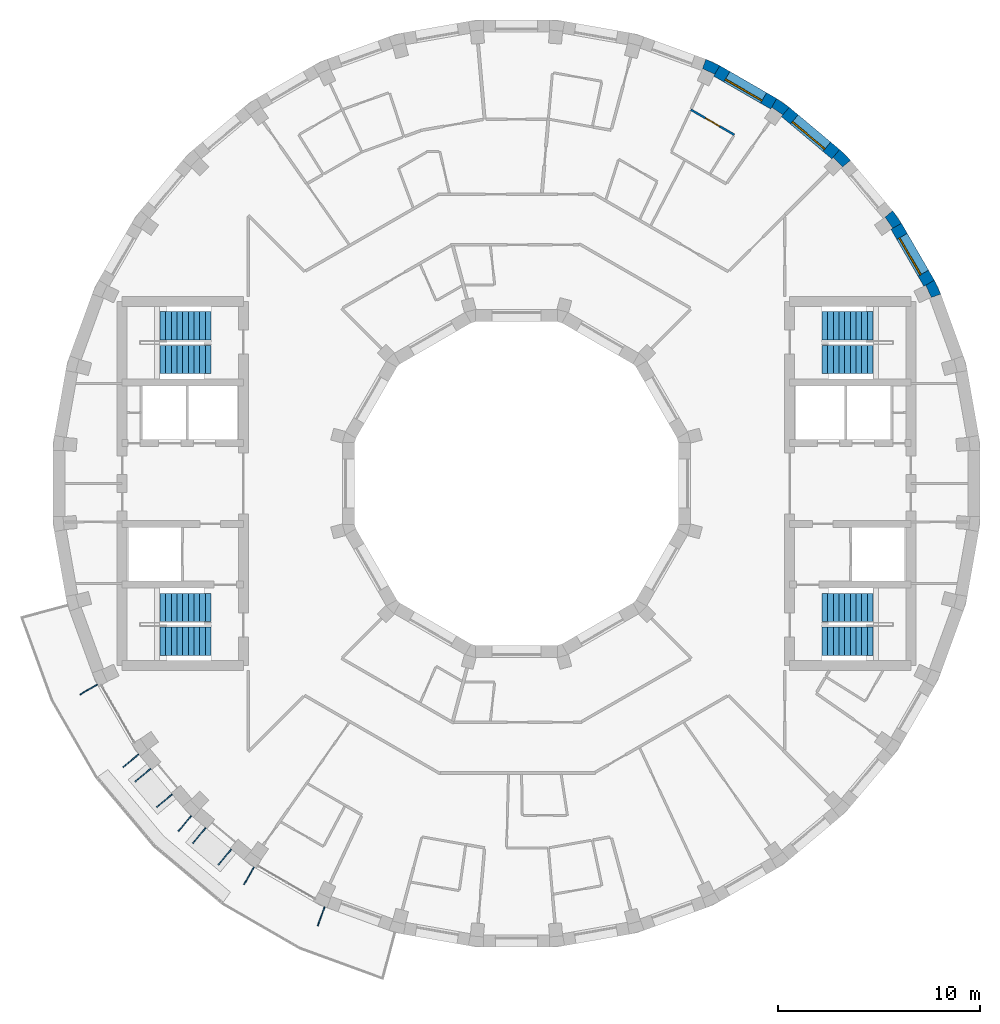
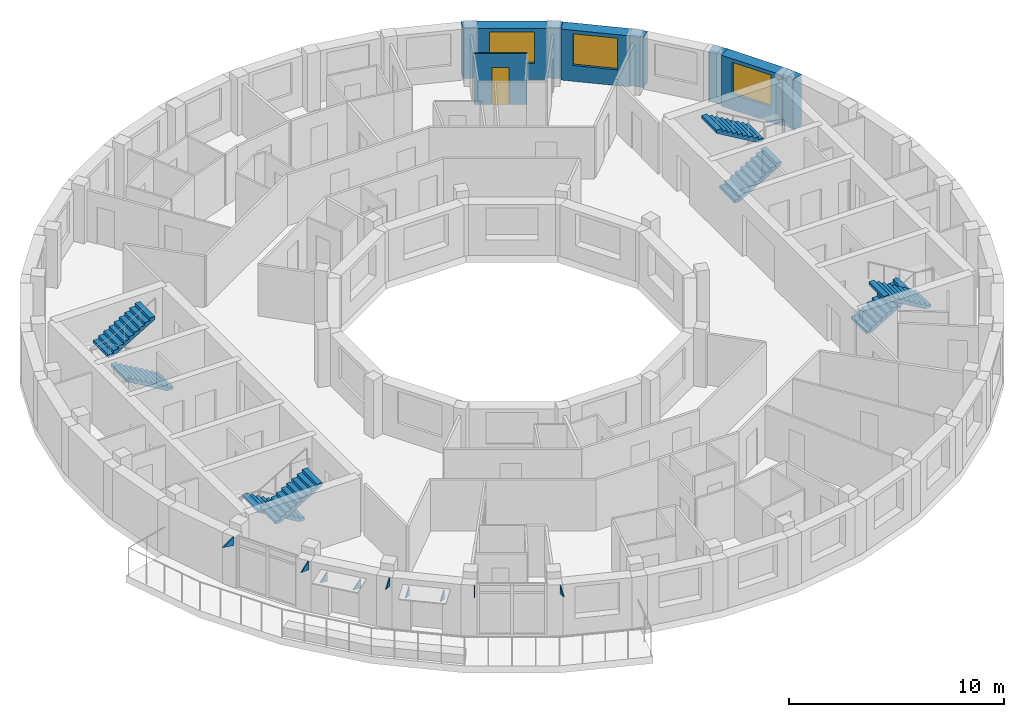
# One storey, part 11 of 12: 9 discrete accessories, 9 walls, 8 stair flights, 3 windows, 1 door, 4 openings, 4 elements without a shape of their own.
"""IFC4 building model written with IfcOpenShell, lengths in metres."""

from ifc_helpers import new_model, si_unit, direction, frame, frame_2d, origin, place, context, subcontext, project, spatial, polyline, rectangle, outline, extrude, material, layer, layer_set, type_object, element, fill, aggregate, save


model = new_model("IFC4")

# Units and contexts
model_context = context("Model", 3, precision=1e-05, world=origin(), true_north=direction((0.0, 1.0)))
body_context = subcontext(model_context, "Body", "Model", "MODEL_VIEW")
ifc_project = project(units=[si_unit("LENGTHUNIT", "METRE"), si_unit("AREAUNIT", "SQUARE_METRE"), si_unit("VOLUMEUNIT", "CUBIC_METRE"), si_unit("PLANEANGLEUNIT", "RADIAN"), si_unit("MASSUNIT", "GRAM", prefix="KILO")], contexts=[model_context])

# Site, building, storey
site_placement = place(None, origin())
site = spatial("IfcSite", under=ifc_project, at=site_placement, CompositionType="ELEMENT")
building_placement = place(site_placement, origin())
building = spatial("IfcBuilding", under=site, at=building_placement, Name="Saqina Gate Tower", CompositionType="ELEMENT")
storey_placement = place(building_placement, frame((0.0, 0.0, 259.39990234375)))
storey = spatial("IfcBuildingStorey", under=building, at=storey_placement, Name="L74", CompositionType="ELEMENT", Elevation=259.39990234375)

# Walls
ifc_material_1 = material(Name="Brick masonry (buff)", Category="masonry")
wall_type_1 = type_object("IfcWallType", Name="BRICK PIER COPING BUFF", PredefinedType="SOLIDWALL", material=ifc_material_1)
wall_1_placement = place(storey_placement, origin())
element("IfcWall", 1, at=wall_1_placement, inside=storey, type_object=wall_type_1, Name="Pier cap L74 column 3", PredefinedType="SOLIDWALL", context=body_context, shape_type="SweptSolid", body=[
    extrude(outline(polyline([(20.974609375, 9.3642578125), (20.65576171875, 10.048095703125), (20.135986328125, 9.748291015625), (20.23193359375, 9.79296875), (20.506591796875, 9.203857421875), (20.410888671875, 9.1591796875), (20.974609375, 9.3642578125)])), origin(), (0.0, 0.0, 1.0), 2.900146484375),
])
wall_2_placement = place(storey_placement, origin())
element("IfcWall", 2, at=wall_2_placement, inside=storey, type_object=wall_type_1, Name="Pier cap L74 column 4", PredefinedType="SOLIDWALL", context=body_context, shape_type="SweptSolid", body=[
    extrude(outline(polyline([(19.02978515625, 12.8642578125), (18.59716796875, 13.482421875), (18.137451171875, 13.0966796875), (18.22412109375, 13.157470703125), (18.596923828125, 12.625), (18.51025390625, 12.564208984375), (19.02978515625, 12.8642578125)])), origin(), (0.0, 0.0, 1.0), 2.900146484375),
])
wall_3_placement = place(storey_placement, origin())
element("IfcWall", 3, at=wall_3_placement, inside=storey, type_object=wall_type_1, Name="Pier cap L74 column 5", PredefinedType="SOLIDWALL", context=body_context, shape_type="SweptSolid", body=[
    extrude(outline(polyline([(15.973388671875, 16.5068359375), (15.587646484375, 16.04736328125), (15.662353515625, 16.1220703125), (16.1220703125, 15.662353515625), (16.04736328125, 15.587646484375), (16.5068359375, 15.973388671875), (15.973388671875, 16.5068359375)])), origin(), (0.0, 0.0, 1.0), 2.900146484375),
])
wall_4_placement = place(storey_placement, origin())
element("IfcWall", 4, at=wall_4_placement, inside=storey, type_object=wall_type_1, Name="Pier cap L74 column 6", PredefinedType="SOLIDWALL", context=body_context, shape_type="SweptSolid", body=[
    extrude(outline(polyline([(12.8642578125, 19.02978515625), (12.564208984375, 18.51025390625), (12.625, 18.596923828125), (13.157470703125, 18.22412109375), (13.0966796875, 18.137451171875), (13.482421875, 18.59716796875), (12.8642578125, 19.02978515625)])), origin(), (0.0, 0.0, 1.0), 2.900146484375),
])
wall_5_placement = place(storey_placement, origin())
element("IfcWall", 5, at=wall_5_placement, inside=storey, type_object=wall_type_1, Name="Pier cap L74 column 7", PredefinedType="SOLIDWALL", context=body_context, shape_type="SweptSolid", body=[
    extrude(outline(polyline([(10.048095703125, 20.65576171875), (9.3642578125, 20.974609375), (9.1591796875, 20.410888671875), (9.203857421875, 20.506591796875), (9.79296875, 20.23193359375), (9.748291015625, 20.135986328125), (10.048095703125, 20.65576171875)])), origin(), (0.0, 0.0, 1.0), 2.900146484375),
])

# Wall, opening, window
ifc_material_2 = material(Name="Brick masonry (buff)", Category="masonry")
ifc_layer_1 = layer(ifc_material_2, 0.60009765625)
ifc_layer_set_1 = layer_set([ifc_layer_1], Name="FW-BRICK-BUFF")
wall_type_2 = type_object("IfcWallType", Name="FW-BRICK-BUFF", PredefinedType="SOLIDWALL", material=ifc_layer_set_1)
wall_6_placement = place(storey_placement, frame((20.39599609375, 9.898193359375, 0.0), z_axis=(0.0, 0.0, 1.0), x_axis=(-0.500014901547, 0.866016800201, 0.0)))
wall_6 = element("IfcWall", 6, at=wall_6_placement, inside=storey, type_object=wall_type_2, Name="Facade wall L74 facet 3", PredefinedType="SOLIDWALL", context=body_context, shape_type="SweptSolid", body=[
    extrude(rectangle(XDim=3.251953125, YDim=0.60009765625, at=frame_2d((1.6259765625, 0.0))), origin(), (0.0, 0.0, 1.0), 2.900146484375),
])
opening_1_placement = place(wall_6_placement, frame((0.57568359375, 0.0, 0.89990234375)))
opening_1 = element("IfcOpeningElement", 7, at=opening_1_placement, cuts=wall_6, Name="Opening G22-W01", PredefinedType="OPENING", context=body_context, shape_type="SweptSolid", body=[
    extrude(rectangle(XDim=2.10009765625, YDim=1.800048828125, at=frame_2d((1.050048828125, 0.89990234375))), frame((0.0, 0.31201171875, 0.0), z_axis=(0.0, -1.0, 0.0), x_axis=(1.0, 0.0, 0.0)), (0.0, 0.0, 1.0), 0.6240234375),
])
ifc_material_3 = material(Name="Aluminium glazing", Category="aluminium")
window_type = type_object("IfcWindowType", Name="WN-D", PartitioningType="SINGLE_PANEL", PredefinedType="WINDOW", material=ifc_material_3)
window_1_placement = place(opening_1_placement, origin())
window_1 = element("IfcWindow", 8, at=window_1_placement, inside=storey, type_object=window_type, Name="Window L74 facet 3", OverallHeight=1.800048828125, OverallWidth=2.10009765625, PartitioningType="SINGLE_PANEL", PredefinedType="WINDOW", context=body_context, shape_type="SweptSolid", body=[
    extrude(rectangle(XDim=2.10009765625, YDim=1.800048828125, at=frame_2d((1.050048828125, 0.89990234375))), frame((0.0, 0.179931640625, 0.0), z_axis=(0.0, -1.0, 0.0), x_axis=(1.0, 0.0, 0.0)), (0.0, 0.0, 1.0), 0.06005859375),
])
fill(opening_1, window_1)

wall_7_placement = place(storey_placement, frame((15.780517578125, 16.277099609375, 0.0), z_axis=(0.0, 0.0, 1.0), x_axis=(-0.766056773982, 0.64277291405, 0.0)))
wall_7 = element("IfcWall", 9, at=wall_7_placement, inside=storey, type_object=wall_type_2, Name="Facade wall L74 facet 5", PredefinedType="SOLIDWALL", context=body_context, shape_type="SweptSolid", body=[
    extrude(rectangle(XDim=3.251708984375, YDim=0.60009765625, at=frame_2d((1.6259765625, 0.0))), origin(), (0.0, 0.0, 1.0), 2.900146484375),
])
opening_2_placement = place(wall_7_placement, frame((0.57568359375, 0.0, 0.89990234375)))
opening_2 = element("IfcOpeningElement", 10, at=opening_2_placement, cuts=wall_7, Name="Opening G22-W03", PredefinedType="OPENING", context=body_context, shape_type="SweptSolid", body=[
    extrude(rectangle(XDim=2.10009765625, YDim=1.800048828125, at=frame_2d((1.050048828125, 0.89990234375))), frame((0.0, 0.31201171875, 0.0), z_axis=(0.0, -1.0, 0.0), x_axis=(1.0, 0.0, 0.0)), (0.0, 0.0, 1.0), 0.6240234375),
])
window_2_placement = place(opening_2_placement, origin())
window_2 = element("IfcWindow", 11, at=window_2_placement, inside=storey, type_object=window_type, Name="Window L74 facet 5", OverallHeight=1.800048828125, OverallWidth=2.10009765625, PartitioningType="SINGLE_PANEL", PredefinedType="WINDOW", context=body_context, shape_type="SweptSolid", body=[
    extrude(rectangle(XDim=2.10009765625, YDim=1.800048828125, at=frame_2d((1.050048828125, 0.89990234375))), frame((0.0, 0.179931640625, 0.0), z_axis=(0.0, -1.0, 0.0), x_axis=(1.0, 0.0, 0.0)), (0.0, 0.0, 1.0), 0.06005859375),
])
fill(opening_2, window_2)

wall_8_placement = place(storey_placement, frame((12.71435546875, 18.77001953125, 0.0), z_axis=(0.0, 0.0, 1.0), x_axis=(-0.866016800201, 0.500014901547, 0.0)))
wall_8 = element("IfcWall", 12, at=wall_8_placement, inside=storey, type_object=wall_type_2, Name="Facade wall L74 facet 6", PredefinedType="SOLIDWALL", context=body_context, shape_type="SweptSolid", body=[
    extrude(rectangle(XDim=3.251953125, YDim=0.60009765625, at=frame_2d((1.6259765625, 0.0))), origin(), (0.0, 0.0, 1.0), 2.900146484375),
])
opening_3_placement = place(wall_8_placement, frame((0.57568359375, 0.0, 0.89990234375)))
opening_3 = element("IfcOpeningElement", 13, at=opening_3_placement, cuts=wall_8, Name="Opening G22-W04", PredefinedType="OPENING", context=body_context, shape_type="SweptSolid", body=[
    extrude(rectangle(XDim=2.10009765625, YDim=1.800048828125, at=frame_2d((1.050048828125, 0.89990234375))), frame((0.0, 0.31201171875, 0.0), z_axis=(0.0, -1.0, 0.0), x_axis=(1.0, 0.0, 0.0)), (0.0, 0.0, 1.0), 0.6240234375),
])
window_3_placement = place(opening_3_placement, origin())
window_3 = element("IfcWindow", 14, at=window_3_placement, inside=storey, type_object=window_type, Name="Window L74 facet 6", OverallHeight=1.800048828125, OverallWidth=2.10009765625, PartitioningType="SINGLE_PANEL", PredefinedType="WINDOW", context=body_context, shape_type="SweptSolid", body=[
    extrude(rectangle(XDim=2.10009765625, YDim=1.800048828125, at=frame_2d((1.050048828125, 0.89990234375))), frame((0.0, 0.179931640625, 0.0), z_axis=(0.0, -1.0, 0.0), x_axis=(1.0, 0.0, 0.0)), (0.0, 0.0, 1.0), 0.06005859375),
])
fill(opening_3, window_3)

# Wall, opening, door
ifc_material_4 = material(Name="Gypsum board on steel studs, 100 mm", Category="steel")
ifc_layer_2 = layer(ifc_material_4, 0.10009765625)
ifc_layer_set_2 = layer_set([ifc_layer_2], Name="PARTITION 100")
wall_type_3 = type_object("IfcWallType", Name="PARTITION 100", PredefinedType="PARTITIONING", material=ifc_layer_set_2)
wall_9_placement = place(storey_placement, frame((8.616943359375, 18.47998046875, 0.0), z_axis=(0.0, 0.0, 1.0), x_axis=(0.866053128592, -0.49995197615, 0.0)))
wall_9 = element("IfcWall", 15, at=wall_9_placement, inside=storey, type_object=wall_type_3, Name="PARTITION PW3-21", PredefinedType="PARTITIONING", context=body_context, shape_type="SweptSolid", body=[
    extrude(rectangle(XDim=2.486083984375, YDim=0.10009765625, at=frame_2d((1.2431640625, 0.0))), origin(), (0.0, 0.0, 1.0), 2.900146484375),
])
opening_4_placement = place(wall_9_placement, frame((0.843017578125, 0.0, 0.0)))
opening_4 = element("IfcOpeningElement", 16, at=opening_4_placement, cuts=wall_9, Name="Opening G22-D05", PredefinedType="OPENING", context=body_context, shape_type="SweptSolid", body=[
    extrude(rectangle(XDim=0.800048828125, YDim=2.10009765625, at=frame_2d((0.39990234375, 1.050048828125))), frame((0.0, 0.06201171875, 0.0), z_axis=(0.0, -1.0, 0.0), x_axis=(1.0, 0.0, 0.0)), (0.0, 0.0, 1.0), 0.1240234375),
])
ifc_material_5 = material(Name="Timber door leaf, 800 mm", Category="wood")
door_type = type_object("IfcDoorType", Name="DOOR 800 TIMBER", OperationType="SINGLE_SWING_LEFT", PredefinedType="DOOR", material=ifc_material_5)
door_placement = place(opening_4_placement, origin())
door = element("IfcDoor", 17, at=door_placement, inside=storey, type_object=door_type, Name="DOOR G22-D05", OperationType="SINGLE_SWING_LEFT", OverallHeight=2.10009765625, OverallWidth=0.800048828125, PredefinedType="DOOR", context=body_context, shape_type="SweptSolid", body=[
    extrude(rectangle(XDim=0.800048828125, YDim=2.10009765625, at=frame_2d((0.39990234375, 1.050048828125))), frame((0.0, 0.02490234375, 0.0), z_axis=(0.0, -1.0, 0.0), x_axis=(1.0, 0.0, 0.0)), (0.0, 0.0, 1.0), 0.050048828125),
])
fill(opening_4, door)

# Stair, stair flights
ifc_material_6 = material(Name="Concrete C40/50", Category="concrete")
stair_type = type_object("IfcStairType", Name="EXIT STAIR", PredefinedType="HALF_TURN_STAIR", material=ifc_material_6)
stair_1_placement = place(storey_placement, origin())
stair_1 = element("IfcStair", 18, at=stair_1_placement, inside=storey, type_object=stair_type, Name="EXIT STAIR 1", PredefinedType="HALF_TURN_STAIR")
ifc_material_7 = material(Name="Concrete C40/50", Category="concrete")
stair_flight_type = type_object("IfcStairFlightType", Name="EXIT STAIR FLIGHT", PredefinedType="STRAIGHT", material=ifc_material_7)
stair_flight_1_placement = place(storey_placement, frame((15.10009765625, 6.13330078125, 0.0), z_axis=(0.0, 0.0, 1.0), x_axis=(1.0, 0.0, 0.0)))
stair_flight_1 = element("IfcStairFlight", 19, at=stair_flight_1_placement, type_object=stair_flight_type, Name="EXIT STAIR 1 FLIGHT 1", NumberOfRisers=10, NumberOfTreads=9, PredefinedType="STRAIGHT", RiserHeight=0.165, TreadLength=0.28, context=body_context, shape_type="SweptSolid", body=[
    extrude(outline(polyline([(0.0, 0.0), (0.0, 0.1650390625), (0.280029296875, 0.1650390625), (0.280029296875, 0.330078125), (0.56005859375, 0.330078125), (0.56005859375, 0.4951171875), (0.840087890625, 0.4951171875), (0.840087890625, 0.659912109375), (1.1201171875, 0.659912109375), (1.1201171875, 0.824951171875), (1.39990234375, 0.824951171875), (1.39990234375, 0.989990234375), (1.679931640625, 0.989990234375), (1.679931640625, 1.155029296875), (1.9599609375, 1.155029296875), (1.9599609375, 1.320068359375), (2.239990234375, 1.320068359375), (2.239990234375, 1.485107421875), (2.52001953125, 1.485107421875), (2.52001953125, 1.64990234375), (2.52001953125, 1.31103515625), (0.295166015625, 0.0), (0.0, 0.0)])), frame((0.0, 0.699951171875, 0.0), z_axis=(0.0, -1.0, 0.0), x_axis=(1.0, 0.0, 0.0)), (0.0, 0.0, 1.0), 1.39990234375),
])
stair_flight_2_placement = place(storey_placement, frame((17.6201171875, 7.791748046875, 1.650146484375), z_axis=(0.0, 0.0, 1.0), x_axis=(-1.0, 0.0, 0.0)))
stair_flight_2 = element("IfcStairFlight", 20, at=stair_flight_2_placement, type_object=stair_flight_type, Name="EXIT STAIR 1 FLIGHT 2", NumberOfRisers=10, NumberOfTreads=9, PredefinedType="STRAIGHT", RiserHeight=0.165, TreadLength=0.28, context=body_context, shape_type="SweptSolid", body=[
    extrude(outline(polyline([(0.0, 0.0), (0.0, 0.1650390625), (0.280029296875, 0.1650390625), (0.280029296875, 0.330078125), (0.56005859375, 0.330078125), (0.56005859375, 0.4951171875), (0.840087890625, 0.4951171875), (0.840087890625, 0.659912109375), (1.1201171875, 0.659912109375), (1.1201171875, 0.824951171875), (1.39990234375, 0.824951171875), (1.39990234375, 0.989990234375), (1.679931640625, 0.989990234375), (1.679931640625, 1.155029296875), (1.9599609375, 1.155029296875), (1.9599609375, 1.320068359375), (2.239990234375, 1.320068359375), (2.239990234375, 1.485107421875), (2.52001953125, 1.485107421875), (2.52001953125, 1.64990234375), (2.52001953125, 1.31103515625), (0.295166015625, 0.0), (0.0, 0.0)])), frame((0.0, 0.699951171875, 0.0), z_axis=(0.0, -1.0, 0.0), x_axis=(1.0, 0.0, 0.0)), (0.0, 0.0, 1.0), 1.39990234375),
])
aggregate(stair_1, [stair_flight_1, stair_flight_2])

stair_2_placement = place(storey_placement, origin())
stair_2 = element("IfcStair", 21, at=stair_2_placement, inside=storey, type_object=stair_type, Name="EXIT STAIR 2", PredefinedType="HALF_TURN_STAIR")
stair_flight_3_placement = place(storey_placement, frame((15.10009765625, -6.13330078125, 0.0), z_axis=(0.0, 0.0, 1.0), x_axis=(1.0, 0.0, 0.0)))
stair_flight_3 = element("IfcStairFlight", 22, at=stair_flight_3_placement, type_object=stair_flight_type, Name="EXIT STAIR 2 FLIGHT 1", NumberOfRisers=10, NumberOfTreads=9, PredefinedType="STRAIGHT", RiserHeight=0.165, TreadLength=0.28, context=body_context, shape_type="SweptSolid", body=[
    extrude(outline(polyline([(0.0, 0.0), (0.0, 0.1650390625), (0.280029296875, 0.1650390625), (0.280029296875, 0.330078125), (0.56005859375, 0.330078125), (0.56005859375, 0.4951171875), (0.840087890625, 0.4951171875), (0.840087890625, 0.659912109375), (1.1201171875, 0.659912109375), (1.1201171875, 0.824951171875), (1.39990234375, 0.824951171875), (1.39990234375, 0.989990234375), (1.679931640625, 0.989990234375), (1.679931640625, 1.155029296875), (1.9599609375, 1.155029296875), (1.9599609375, 1.320068359375), (2.239990234375, 1.320068359375), (2.239990234375, 1.485107421875), (2.52001953125, 1.485107421875), (2.52001953125, 1.64990234375), (2.52001953125, 1.31103515625), (0.295166015625, 0.0), (0.0, 0.0)])), frame((0.0, 0.699951171875, 0.0), z_axis=(0.0, -1.0, 0.0), x_axis=(1.0, 0.0, 0.0)), (0.0, 0.0, 1.0), 1.39990234375),
])
stair_flight_4_placement = place(storey_placement, frame((17.6201171875, -7.791748046875, 1.650146484375), z_axis=(0.0, 0.0, 1.0), x_axis=(-1.0, 0.0, 0.0)))
stair_flight_4 = element("IfcStairFlight", 23, at=stair_flight_4_placement, type_object=stair_flight_type, Name="EXIT STAIR 2 FLIGHT 2", NumberOfRisers=10, NumberOfTreads=9, PredefinedType="STRAIGHT", RiserHeight=0.165, TreadLength=0.28, context=body_context, shape_type="SweptSolid", body=[
    extrude(outline(polyline([(0.0, 0.0), (0.0, 0.1650390625), (0.280029296875, 0.1650390625), (0.280029296875, 0.330078125), (0.56005859375, 0.330078125), (0.56005859375, 0.4951171875), (0.840087890625, 0.4951171875), (0.840087890625, 0.659912109375), (1.1201171875, 0.659912109375), (1.1201171875, 0.824951171875), (1.39990234375, 0.824951171875), (1.39990234375, 0.989990234375), (1.679931640625, 0.989990234375), (1.679931640625, 1.155029296875), (1.9599609375, 1.155029296875), (1.9599609375, 1.320068359375), (2.239990234375, 1.320068359375), (2.239990234375, 1.485107421875), (2.52001953125, 1.485107421875), (2.52001953125, 1.64990234375), (2.52001953125, 1.31103515625), (0.295166015625, 0.0), (0.0, 0.0)])), frame((0.0, 0.699951171875, 0.0), z_axis=(0.0, -1.0, 0.0), x_axis=(1.0, 0.0, 0.0)), (0.0, 0.0, 1.0), 1.39990234375),
])
aggregate(stair_2, [stair_flight_3, stair_flight_4])

stair_3_placement = place(storey_placement, origin())
stair_3 = element("IfcStair", 24, at=stair_3_placement, inside=storey, type_object=stair_type, Name="EXIT STAIR 3", PredefinedType="HALF_TURN_STAIR")
stair_flight_5_placement = place(storey_placement, frame((-15.10009765625, 6.13330078125, 0.0), z_axis=(0.0, 0.0, 1.0), x_axis=(-1.0, 0.0, 0.0)))
stair_flight_5 = element("IfcStairFlight", 25, at=stair_flight_5_placement, type_object=stair_flight_type, Name="EXIT STAIR 3 FLIGHT 1", NumberOfRisers=10, NumberOfTreads=9, PredefinedType="STRAIGHT", RiserHeight=0.165, TreadLength=0.28, context=body_context, shape_type="SweptSolid", body=[
    extrude(outline(polyline([(0.0, 0.0), (0.0, 0.1650390625), (0.280029296875, 0.1650390625), (0.280029296875, 0.330078125), (0.56005859375, 0.330078125), (0.56005859375, 0.4951171875), (0.840087890625, 0.4951171875), (0.840087890625, 0.659912109375), (1.1201171875, 0.659912109375), (1.1201171875, 0.824951171875), (1.39990234375, 0.824951171875), (1.39990234375, 0.989990234375), (1.679931640625, 0.989990234375), (1.679931640625, 1.155029296875), (1.9599609375, 1.155029296875), (1.9599609375, 1.320068359375), (2.239990234375, 1.320068359375), (2.239990234375, 1.485107421875), (2.52001953125, 1.485107421875), (2.52001953125, 1.64990234375), (2.52001953125, 1.31103515625), (0.295166015625, 0.0), (0.0, 0.0)])), frame((0.0, 0.699951171875, 0.0), z_axis=(0.0, -1.0, 0.0), x_axis=(1.0, 0.0, 0.0)), (0.0, 0.0, 1.0), 1.39990234375),
])
stair_flight_6_placement = place(storey_placement, frame((-17.6201171875, 7.791748046875, 1.650146484375), z_axis=(0.0, 0.0, 1.0), x_axis=(1.0, 0.0, 0.0)))
stair_flight_6 = element("IfcStairFlight", 26, at=stair_flight_6_placement, type_object=stair_flight_type, Name="EXIT STAIR 3 FLIGHT 2", NumberOfRisers=10, NumberOfTreads=9, PredefinedType="STRAIGHT", RiserHeight=0.165, TreadLength=0.28, context=body_context, shape_type="SweptSolid", body=[
    extrude(outline(polyline([(0.0, 0.0), (0.0, 0.1650390625), (0.280029296875, 0.1650390625), (0.280029296875, 0.330078125), (0.56005859375, 0.330078125), (0.56005859375, 0.4951171875), (0.840087890625, 0.4951171875), (0.840087890625, 0.659912109375), (1.1201171875, 0.659912109375), (1.1201171875, 0.824951171875), (1.39990234375, 0.824951171875), (1.39990234375, 0.989990234375), (1.679931640625, 0.989990234375), (1.679931640625, 1.155029296875), (1.9599609375, 1.155029296875), (1.9599609375, 1.320068359375), (2.239990234375, 1.320068359375), (2.239990234375, 1.485107421875), (2.52001953125, 1.485107421875), (2.52001953125, 1.64990234375), (2.52001953125, 1.31103515625), (0.295166015625, 0.0), (0.0, 0.0)])), frame((0.0, 0.699951171875, 0.0), z_axis=(0.0, -1.0, 0.0), x_axis=(1.0, 0.0, 0.0)), (0.0, 0.0, 1.0), 1.39990234375),
])
aggregate(stair_3, [stair_flight_5, stair_flight_6])

stair_4_placement = place(storey_placement, origin())
stair_4 = element("IfcStair", 27, at=stair_4_placement, inside=storey, type_object=stair_type, Name="EXIT STAIR 4", PredefinedType="HALF_TURN_STAIR")
stair_flight_7_placement = place(storey_placement, frame((-15.10009765625, -6.13330078125, 0.0), z_axis=(0.0, 0.0, 1.0), x_axis=(-1.0, 0.0, 0.0)))
stair_flight_7 = element("IfcStairFlight", 28, at=stair_flight_7_placement, type_object=stair_flight_type, Name="EXIT STAIR 4 FLIGHT 1", NumberOfRisers=10, NumberOfTreads=9, PredefinedType="STRAIGHT", RiserHeight=0.165, TreadLength=0.28, context=body_context, shape_type="SweptSolid", body=[
    extrude(outline(polyline([(0.0, 0.0), (0.0, 0.1650390625), (0.280029296875, 0.1650390625), (0.280029296875, 0.330078125), (0.56005859375, 0.330078125), (0.56005859375, 0.4951171875), (0.840087890625, 0.4951171875), (0.840087890625, 0.659912109375), (1.1201171875, 0.659912109375), (1.1201171875, 0.824951171875), (1.39990234375, 0.824951171875), (1.39990234375, 0.989990234375), (1.679931640625, 0.989990234375), (1.679931640625, 1.155029296875), (1.9599609375, 1.155029296875), (1.9599609375, 1.320068359375), (2.239990234375, 1.320068359375), (2.239990234375, 1.485107421875), (2.52001953125, 1.485107421875), (2.52001953125, 1.64990234375), (2.52001953125, 1.31103515625), (0.295166015625, 0.0), (0.0, 0.0)])), frame((0.0, 0.699951171875, 0.0), z_axis=(0.0, -1.0, 0.0), x_axis=(1.0, 0.0, 0.0)), (0.0, 0.0, 1.0), 1.39990234375),
])
stair_flight_8_placement = place(storey_placement, frame((-17.6201171875, -7.791748046875, 1.650146484375), z_axis=(0.0, 0.0, 1.0), x_axis=(1.0, 0.0, 0.0)))
stair_flight_8 = element("IfcStairFlight", 29, at=stair_flight_8_placement, type_object=stair_flight_type, Name="EXIT STAIR 4 FLIGHT 2", NumberOfRisers=10, NumberOfTreads=9, PredefinedType="STRAIGHT", RiserHeight=0.165, TreadLength=0.28, context=body_context, shape_type="SweptSolid", body=[
    extrude(outline(polyline([(0.0, 0.0), (0.0, 0.1650390625), (0.280029296875, 0.1650390625), (0.280029296875, 0.330078125), (0.56005859375, 0.330078125), (0.56005859375, 0.4951171875), (0.840087890625, 0.4951171875), (0.840087890625, 0.659912109375), (1.1201171875, 0.659912109375), (1.1201171875, 0.824951171875), (1.39990234375, 0.824951171875), (1.39990234375, 0.989990234375), (1.679931640625, 0.989990234375), (1.679931640625, 1.155029296875), (1.9599609375, 1.155029296875), (1.9599609375, 1.320068359375), (2.239990234375, 1.320068359375), (2.239990234375, 1.485107421875), (2.52001953125, 1.485107421875), (2.52001953125, 1.64990234375), (2.52001953125, 1.31103515625), (0.295166015625, 0.0), (0.0, 0.0)])), frame((0.0, 0.699951171875, 0.0), z_axis=(0.0, -1.0, 0.0), x_axis=(1.0, 0.0, 0.0)), (0.0, 0.0, 1.0), 1.39990234375),
])
aggregate(stair_4, [stair_flight_7, stair_flight_8])

# Discrete accessories
ifc_material_8 = material(Name="Galvanised steel", Category="steel")
ifc_layer_3 = layer(ifc_material_8, 0.050048828125)
ifc_layer_set_3 = layer_set([ifc_layer_3], Name="BR-AWNING")
discrete_accessory_type_1 = type_object("IfcDiscreteAccessoryType", Name="BR-AWNING", PredefinedType="BRACKET", material=ifc_layer_set_3)
discrete_accessory_1_placement = place(storey_placement, frame((-18.06689453125, -14.114501953125, 1.97509765625), z_axis=(0.64275098807, -0.766075170812, 0.0), x_axis=(0.0, 0.0, 1.0)))
element("IfcDiscreteAccessory", 30, at=discrete_accessory_1_placement, inside=storey, type_object=discrete_accessory_type_1, Name="Awning bracket L74 facet 22", PredefinedType="BRACKET", context=body_context, shape_type="SweptSolid", body=[
    extrude(outline(polyline([(0.0, 0.0), (0.550048828125, 0.0), (0.550048828125, 0.9997310574800564), (0.0, 0.0)])), origin(), (0.0, 0.0, -1.0), 0.050048828125),
])
discrete_accessory_2_placement = place(storey_placement, frame((-17.005126953125, -15.379638671875, 1.97509765625), z_axis=(0.642894271969, -0.765954930181, 0.0), x_axis=(0.0, 0.0, 1.0)))
element("IfcDiscreteAccessory", 31, at=discrete_accessory_2_placement, inside=storey, type_object=discrete_accessory_type_1, Name="Awning bracket L74 facet 22", PredefinedType="BRACKET", context=body_context, shape_type="SweptSolid", body=[
    extrude(outline(polyline([(0.0, 0.0), (0.550048828125, 0.0), (0.550048828125, 0.9998879966000863), (0.0, 0.0)])), origin(), (0.0, 0.0, -1.0), 0.050048828125),
])
for number, where, z_axis, x_axis, name in (
    (32, (-15.34130859375, -17.037109375, 1.97509765625), (0.766055819685, -0.64277405138, 0.0), (0.0, 0.0, 1.0), "Awning bracket L74 facet 23"),
    (33, (-14.076171875, -18.098876953125, 1.97509765625), (0.766055819685, -0.64277405138, 0.0), (0.0, 0.0, 1.0), "Awning bracket L74 facet 23"),
):
    element("IfcDiscreteAccessory", number, at=place(storey_placement, frame(where, z_axis=z_axis, x_axis=x_axis)), inside=storey, type_object=discrete_accessory_type_1, Name=name, PredefinedType="BRACKET", context=body_context, shape_type="SweptSolid", body=[
        extrude(outline(polyline([(0.0, 0.0), (0.550048828125, 0.0), (0.550048828125, 1.0000750096322273), (0.0, 0.0)])), origin(), (0.0, 0.0, -1.0), 0.050048828125),
    ])
ifc_material_9 = material(Name="Galvanised steel", Category="steel")
ifc_layer_4 = layer(ifc_material_9, 0.050048828125)
ifc_layer_set_4 = layer_set([ifc_layer_4], Name="BR-GUSSET")
discrete_accessory_type_2 = type_object("IfcDiscreteAccessoryType", Name="BR-GUSSET", PredefinedType="BRACKET", material=ifc_layer_set_4)
discrete_accessory_3_placement = place(storey_placement, frame((-20.70751953125, -9.95849609375, 2.400146484375), z_axis=(0.50002537861, -0.866010750942, 0.0), x_axis=(0.0, 0.0, 1.0)))
element("IfcDiscreteAccessory", 34, at=discrete_accessory_3_placement, inside=storey, type_object=discrete_accessory_type_2, Name="Terrace slab bracket L75 1", PredefinedType="BRACKET", context=body_context, shape_type="SweptSolid", body=[
    extrude(outline(polyline([(0.0, 0.0), (0.5, 0.0), (0.5, 0.9999492453569568), (0.0, 0.0)])), origin(), (0.0, 0.0, -1.0), 0.050048828125),
])
discrete_accessory_4_placement = place(storey_placement, frame((-18.663818359375, -13.40283203125, 2.400146484375), z_axis=(0.642894271969, -0.765954930181, 0.0), x_axis=(0.0, 0.0, 1.0)))
element("IfcDiscreteAccessory", 35, at=discrete_accessory_4_placement, inside=storey, type_object=discrete_accessory_type_2, Name="Terrace slab bracket L75 2", PredefinedType="BRACKET", context=body_context, shape_type="SweptSolid", body=[
    extrude(outline(polyline([(0.0, 0.0), (0.5, 0.0), (0.5, 0.9998879966000863), (0.0, 0.0)])), origin(), (0.0, 0.0, -1.0), 0.050048828125),
])
discrete_accessory_5_placement = place(storey_placement, frame((-16.052734375, -16.440185546875, 2.400146484375), z_axis=(0.766055819685, -0.64277405138, 0.0), x_axis=(0.0, 0.0, 1.0)))
element("IfcDiscreteAccessory", 36, at=discrete_accessory_5_placement, inside=storey, type_object=discrete_accessory_type_2, Name="Terrace slab bracket L75 3", PredefinedType="BRACKET", context=body_context, shape_type="SweptSolid", body=[
    extrude(outline(polyline([(0.0, 0.0), (0.5, 0.0), (0.5, 1.0000750096322275), (0.0, 0.0)])), origin(), (0.0, 0.0, -1.0), 0.050048828125),
])
discrete_accessory_6_placement = place(storey_placement, frame((-12.9541015625, -18.97802734375, 2.400146484375), z_axis=(0.866010750942, -0.50002537861, 0.0), x_axis=(0.0, 0.0, 1.0)))
element("IfcDiscreteAccessory", 37, at=discrete_accessory_6_placement, inside=storey, type_object=discrete_accessory_type_2, Name="Terrace slab bracket L75 4", PredefinedType="BRACKET", context=body_context, shape_type="SweptSolid", body=[
    extrude(outline(polyline([(0.0, 0.0), (0.5, 0.0), (0.5, 0.9999492453569568), (0.0, 0.0)])), origin(), (0.0, 0.0, -1.0), 0.050048828125),
])
discrete_accessory_7_placement = place(storey_placement, frame((-9.4619140625, -20.939208984375, 2.400146484375), z_axis=(0.939764905391, -0.341821477669, 0.0), x_axis=(0.0, 0.0, 1.0)))
element("IfcDiscreteAccessory", 38, at=discrete_accessory_7_placement, inside=storey, type_object=discrete_accessory_type_2, Name="Terrace slab bracket L75 5", PredefinedType="BRACKET", context=body_context, shape_type="SweptSolid", body=[
    extrude(outline(polyline([(0.0, 0.0), (0.5, 0.0), (0.5, 0.999928024801219), (0.0, 0.0)])), origin(), (0.0, 0.0, -1.0), 0.050048828125),
])

save(model, "model.ifc")
